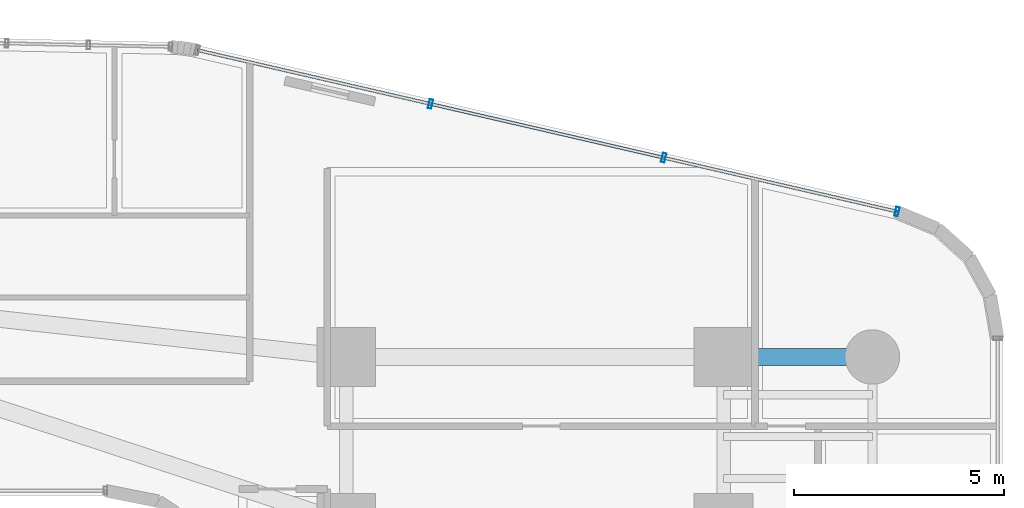
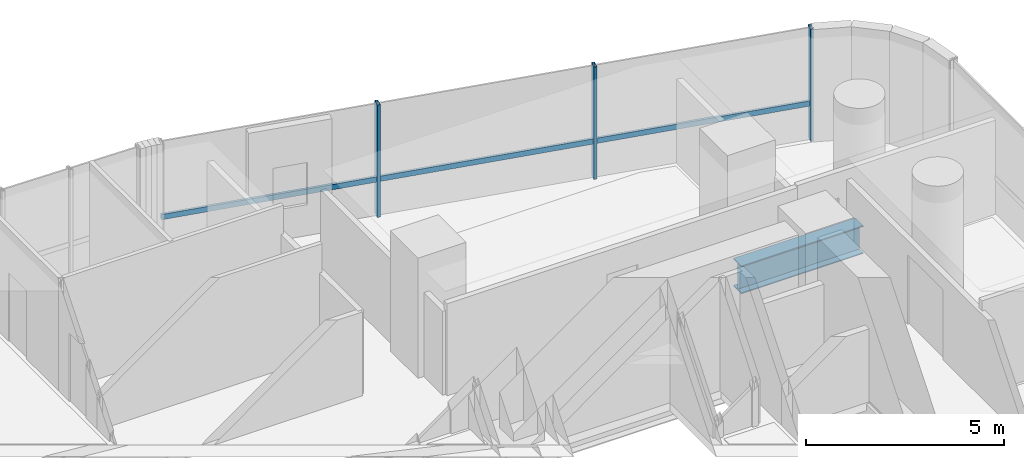
# One storey, part 23 of 40: 4 members, 1 beam, 1 element without a shape of its own.
"""IFC4 building model written with IfcOpenShell, lengths in metres."""

from ifc_helpers import new_model, si_unit, direction, frame, origin, origin_2d, place, context, subcontext, project, spatial, hollow_rectangle, i_section, extrude, source, transform, mapped, material, material_profile, profile_set, type_object, element, aggregate, save


model = new_model("IFC4")

# Units and contexts
model_context = context("Model", 3, precision=1e-05, world=origin(), true_north=direction((0.0, 1.0)))
body_context = subcontext(model_context, "Body", "Model", "MODEL_VIEW")
ifc_project = project(units=[si_unit("LENGTHUNIT", "METRE"), si_unit("AREAUNIT", "SQUARE_METRE"), si_unit("VOLUMEUNIT", "CUBIC_METRE"), si_unit("PLANEANGLEUNIT", "RADIAN"), si_unit("MASSUNIT", "GRAM", prefix="KILO")], contexts=[model_context])

# Site, building, storey
site_placement = place(None, origin())
site = spatial("IfcSite", under=ifc_project, at=site_placement, CompositionType="ELEMENT")
building_placement = place(site_placement, origin())
building = spatial("IfcBuilding", under=site, at=building_placement, Name="Valdorenza Pilgrim Sanctuary Tower", CompositionType="ELEMENT")
storey_placement = place(building_placement, frame((0.0, 0.0, 44.5)))
storey = spatial("IfcBuildingStorey", under=building, at=storey_placement, Name="L10", CompositionType="ELEMENT", Elevation=44.5)

# Beam
ifc_material_1 = material(Name="Steel ASTM A992 Grade 50", Category="steel")
ifc_material_profile_1 = material_profile(ifc_material_1, i_section(OverallWidth=0.39990234375, OverallDepth=0.862060546875, WebThickness=0.019775390625, FlangeThickness=0.032470703125, at=origin_2d()), Name="W33X221")
ifc_profile_set_1 = profile_set([ifc_material_profile_1], Name="Steel ASTM A992 Grade 50")
beam_type = type_object("IfcBeamType", Name="STR-BM-GRD-W33", PredefinedType="BEAM", material=ifc_profile_set_1)
shared_shape_1 = source(origin(), body_context, "Body", "SweptSolid", [
    extrude(i_section(OverallWidth=0.39990234375, OverallDepth=0.862060546875, WebThickness=0.019775390625, FlangeThickness=0.032470703125, at=origin_2d()), origin(), (0.0, 0.0, 1.0), 3.5498046875),
])
beam_placement = place(storey_placement, frame((24.85009765625, 13.5, -0.6708984375), z_axis=(1.0, 0.0, 0.0), x_axis=(0.0, 1.0, 0.0)))
element("IfcBeam", 1, at=beam_placement, inside=storey, type_object=beam_type, Name="L10 Floor Girder WB-XE-N2", PredefinedType="BEAM", context=body_context, shape_type="MappedRepresentation", body=[
    mapped(shared_shape_1, transform((0.0, 0.0, 0.0), x_axis=(1.0, 0.0, 0.0), y_axis=(0.0, 1.0, 0.0), z_axis=(0.0, 0.0, 1.0), scale=1.0)),
])

# Curtain wall, members
ifc_material_2 = material(Name="Curtain-wall IGU glazing", Category="glass")
curtain_wall_type = type_object("IfcCurtainWallType", Name="CW-SYS-03", PredefinedType="NOTDEFINED", material=ifc_material_2)
curtain_wall_placement = place(storey_placement, origin())
curtain_wall = element("IfcCurtainWall", 2, at=curtain_wall_placement, inside=storey, type_object=curtain_wall_type, Name="L10 Curtain Wall CW-L10-1-16", PredefinedType="NOTDEFINED")
ifc_material_3 = material(Name="Anodised aluminium AW-6060", Category="aluminium")
ifc_material_profile_2 = material_profile(ifc_material_3, hollow_rectangle(XDim=0.0849609375, YDim=0.219970703125, WallThickness=0.0048828125, at=origin_2d()), Name="ALU-M 220x85x5")
ifc_profile_set_2 = profile_set([ifc_material_profile_2], Name="Anodised aluminium AW-6060")
member_type_1 = type_object("IfcMemberType", Name="CW-MUL-03", PredefinedType="MULLION", material=ifc_profile_set_2)
shared_shape_2 = source(origin(), body_context, "Body", "SweptSolid", [
    extrude(hollow_rectangle(XDim=0.0849609375, YDim=0.219970703125, WallThickness=0.0048828125, at=origin_2d()), origin(), (0.0, 0.0, 1.0), 3.4599609375),
])
member_1_placement = place(storey_placement, frame((17.861328125, 19.534423828125, 0.0), z_axis=(0.0, 0.0, 1.0), x_axis=(0.974389691758, -0.224866023659, 0.0)))
member_1 = element("IfcMember", 3, at=member_1_placement, type_object=member_type_1, Name="CW-L10-1-16 Mullion 2", PredefinedType="MULLION", context=body_context, shape_type="MappedRepresentation", body=[
    mapped(shared_shape_2, transform((0.0, 0.0, 0.0), x_axis=(1.0, 0.0, 0.0), y_axis=(0.0, 1.0, 0.0), z_axis=(0.0, 0.0, 1.0), scale=1.0)),
])
member_2_placement = place(storey_placement, frame((23.423583984375, 18.2509765625, 0.0), z_axis=(0.0, 0.0, 1.0), x_axis=(0.974389691758, -0.224866023659, 0.0)))
member_2 = element("IfcMember", 4, at=member_2_placement, type_object=member_type_1, Name="CW-L10-1-16 Mullion 3", PredefinedType="MULLION", context=body_context, shape_type="MappedRepresentation", body=[
    mapped(shared_shape_2, transform((0.0, 0.0, 0.0), x_axis=(1.0, 0.0, 0.0), y_axis=(0.0, 1.0, 0.0), z_axis=(0.0, 0.0, 1.0), scale=1.0)),
])
member_3_placement = place(storey_placement, frame((28.98583984375, 16.96728515625, 0.0), z_axis=(0.0, 0.0, 1.0), x_axis=(0.974389691758, -0.224866023659, 0.0)))
member_3 = element("IfcMember", 5, at=member_3_placement, type_object=member_type_1, Name="CW-L10-1-16 Mullion 4", PredefinedType="MULLION", context=body_context, shape_type="MappedRepresentation", body=[
    mapped(shared_shape_2, transform((0.0, 0.0, 0.0), x_axis=(1.0, 0.0, 0.0), y_axis=(0.0, 1.0, 0.0), z_axis=(0.0, 0.0, 1.0), scale=1.0)),
])
ifc_material_profile_3 = material_profile(ifc_material_3, hollow_rectangle(XDim=0.074951171875, YDim=0.159912109375, WallThickness=0.00390625, at=origin_2d()), Name="ALU-T 160x75x4")
ifc_profile_set_3 = profile_set([ifc_material_profile_3], Name="Anodised aluminium AW-6060")
member_type_2 = type_object("IfcMemberType", Name="CW-TRN-03", PredefinedType="USERDEFINED", material=ifc_profile_set_3)
shared_shape_3 = source(origin(), body_context, "Body", "SweptSolid", [
    extrude(hollow_rectangle(XDim=0.074951171875, YDim=0.159912109375, WallThickness=0.00390625, at=origin_2d()), origin(), (0.0, 0.0, 1.0), 17.125244140625),
])
member_4_placement = place(storey_placement, frame((12.299072265625, 20.818115234375, 1.1201171875), z_axis=(0.974390715149, -0.224861589051, 0.0), x_axis=(0.224861589051, 0.974390715149, 0.0)))
member_4 = element("IfcMember", 6, at=member_4_placement, type_object=member_type_2, Name="CW-L10-1-16 Transom 1", ObjectType="TRANSOM", PredefinedType="USERDEFINED", context=body_context, shape_type="MappedRepresentation", body=[
    mapped(shared_shape_3, transform((0.0, 0.0, 0.0), x_axis=(1.0, 0.0, 0.0), y_axis=(0.0, 1.0, 0.0), z_axis=(0.0, 0.0, 1.0), scale=1.0)),
])
aggregate(curtain_wall, [member_1, member_2, member_3, member_4])

save(model, "model.ifc")
